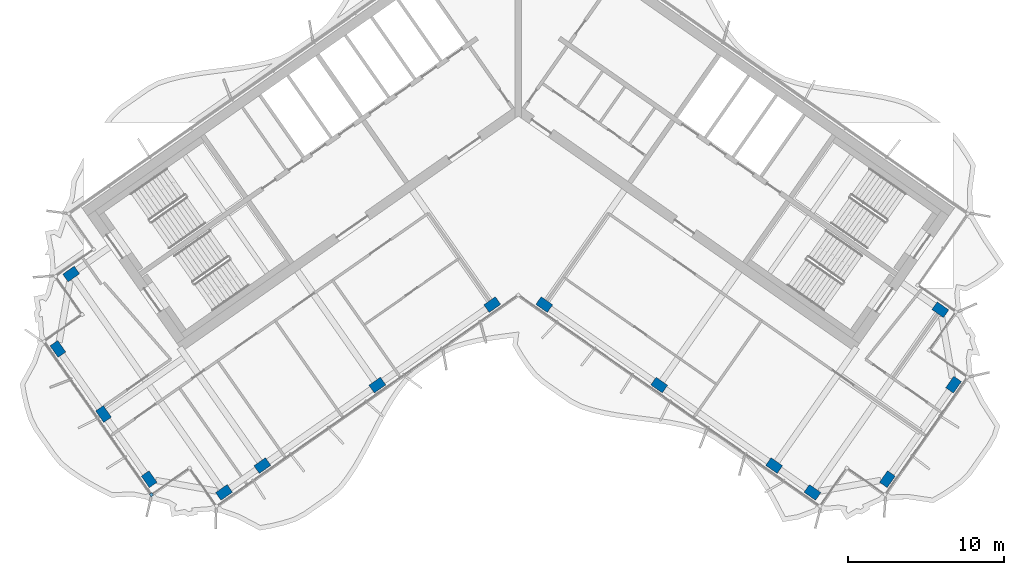
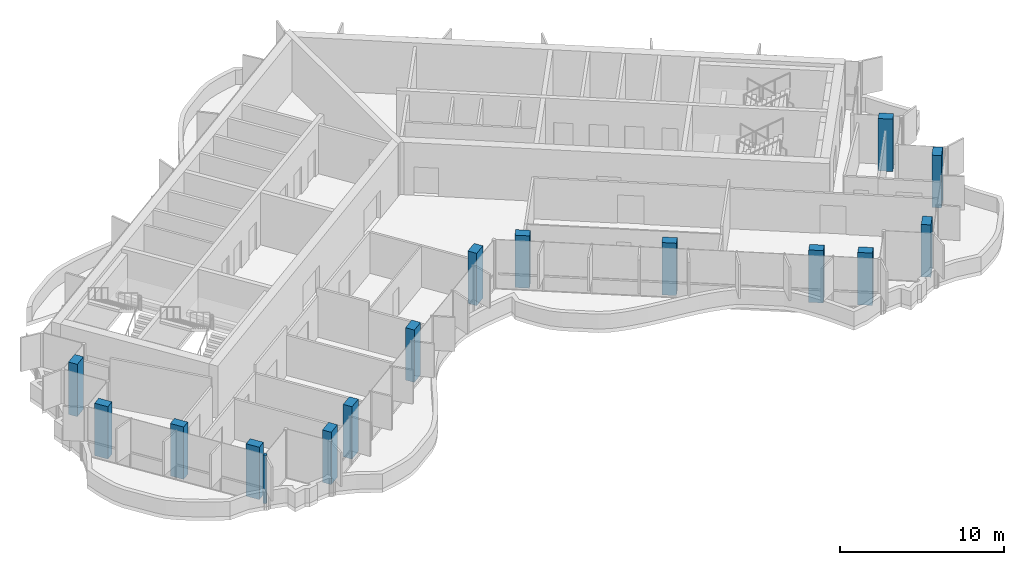
# One storey, part 1 of 18: 15 columns, 1 member, 1 element without a shape of its own.
"""IFC4 building model written with IfcOpenShell, lengths in metres."""

from ifc_helpers import new_model, si_unit, direction, frame, origin, origin_2d, place, context, subcontext, project, spatial, rectangle, extrude, material, material_profile, profile_set, type_object, element, aggregate, save


model = new_model("IFC4")

# Units and contexts
model_context = context("Model", 3, precision=1e-05, world=origin(), true_north=direction((0.0, 1.0)))
body_context = subcontext(model_context, "Body", "Model", "MODEL_VIEW")
ifc_project = project(units=[si_unit("LENGTHUNIT", "METRE"), si_unit("AREAUNIT", "SQUARE_METRE"), si_unit("VOLUMEUNIT", "CUBIC_METRE"), si_unit("PLANEANGLEUNIT", "RADIAN"), si_unit("MASSUNIT", "GRAM", prefix="KILO")], contexts=[model_context])

# Site, building, storey
site_placement = place(None, origin())
site = spatial("IfcSite", under=ifc_project, at=site_placement, CompositionType="ELEMENT")
building_placement = place(site_placement, origin())
building = spatial("IfcBuilding", under=site, at=building_placement, Name="Tel Ilan Convention Tower", CompositionType="ELEMENT")
storey_placement = place(building_placement, frame((0.0, 0.0, 303.39990234375)))
storey = spatial("IfcBuildingStorey", under=building, at=storey_placement, Name="L72", CompositionType="ELEMENT", Elevation=303.39990234375)

# Columns
ifc_material_1 = material(Name="Concrete C40/50", Category="concrete")
ifc_material_profile_1 = material_profile(ifc_material_1, rectangle(XDim=0.89990234375, YDim=0.60009765625, at=origin_2d()), Name="RC 600x900")
ifc_profile_set_1 = profile_set([ifc_material_profile_1], Name="Concrete C40/50")
column_type = type_object("IfcColumnType", Name="Column RC 600x900 C40/50", PredefinedType="COLUMN", material=ifc_profile_set_1)
for number, where, z_axis, x_axis, name in (
    (1, (-1.665283203125, -13.312744140625, 0.0), (0.0, 0.0, 1.0), (-0.819152044289, -0.573576436351, 0.0), "L72 column W-F1"),
    (2, (-9.03759765625, -18.474853515625, 0.0), (0.0, 0.0, 1.0), (-0.819152044289, -0.573576436351, 0.0), "L72 column W-F2"),
    (3, (-16.409912109375, -23.63720703125, 0.0), (0.0, 0.0, 1.0), (-0.819152044289, -0.573576436351, 0.0), "L72 column W-F3"),
    (4, (-18.867431640625, -25.35791015625, 0.0), (0.0, 0.0, 1.0), (-0.819152044289, -0.573576436351, 0.0), "L72 column W-FC"),
    (5, (-28.675537109375, -11.350341796875, 0.0), (0.0, 0.0, 1.0), (-0.819152044289, -0.573576436351, 0.0), "L72 column W-BC"),
    (6, (-23.67236328125, -24.510498046875, 0.0), (0.0, 0.0, 1.0), (-0.573576436351, 0.819152044289, 0.0), "L72 column W-E1"),
    (7, (-26.59765625, -20.3330078125, 0.0), (0.0, 0.0, 1.0), (-0.573576436351, 0.819152044289, 0.0), "L72 column W-E2"),
    (8, (-29.52294921875, -16.1552734375, 0.0), (0.0, 0.0, 1.0), (-0.573576436351, 0.819152044289, 0.0), "L72 column W-E3"),
    (9, (1.665283203125, -13.312744140625, 0.0), (0.0, 0.0, 1.0), (0.819152044289, -0.573576436351, 0.0), "L72 column E-F1"),
    (10, (9.03759765625, -18.474853515625, 0.0), (0.0, 0.0, 1.0), (0.819152044289, -0.573576436351, 0.0), "L72 column E-F2"),
    (11, (16.409912109375, -23.63720703125, 0.0), (0.0, 0.0, 1.0), (0.819152044289, -0.573576436351, 0.0), "L72 column E-F3"),
    (12, (18.867431640625, -25.35791015625, 0.0), (0.0, 0.0, 1.0), (0.819152044289, -0.573576436351, 0.0), "L72 column E-FC"),
    (13, (27.069580078125, -13.64404296875, 0.0), (0.0, 0.0, 1.0), (0.819152044289, -0.573576436351, 0.0), "L72 column E-BC"),
    (14, (23.67236328125, -24.510498046875, 0.0), (0.0, 0.0, 1.0), (0.573576436351, 0.819152044289, 0.0), "L72 column E-E1"),
    (15, (27.9169921875, -18.448974609375, 0.0), (0.0, 0.0, 1.0), (0.573576436351, 0.819152044289, 0.0), "L72 column E-E2"),
):
    element("IfcColumn", number, at=place(storey_placement, frame(where, z_axis=z_axis, x_axis=x_axis)), inside=storey, type_object=column_type, Name=name, PredefinedType="COLUMN", context=body_context, shape_type="SweptSolid", body=[
        extrude(rectangle(XDim=0.89990234375, YDim=0.60009765625, at=origin_2d()), origin(), (0.0, 0.0, 1.0), 3.900146484375),
    ])

# Curtain wall, member
ifc_material_2 = material(Name="Aluminium, bronze anodised", Category="aluminium")
curtain_wall_type = type_object("IfcCurtainWallType", Name="CW5 STICK CURTAIN WALL, UPPER OFFICE LOW-IRON TINTED GLASS", PredefinedType="NOTDEFINED", material=ifc_material_2)
curtain_wall_placement = place(storey_placement, origin())
curtain_wall = element("IfcCurtainWall", 16, at=curtain_wall_placement, inside=storey, type_object=curtain_wall_type, Name="Curtain wall CW5-54.02", PredefinedType="NOTDEFINED")
ifc_material_3 = material(Name="Aluminium, bronze anodised", Category="aluminium")
ifc_material_profile_2 = material_profile(ifc_material_3, rectangle(XDim=0.199951171875, YDim=0.199951171875, at=origin_2d()), Name="CW CORNER MULLION 200x200")
ifc_profile_set_2 = profile_set([ifc_material_profile_2], Name="Aluminium, bronze anodised")
member_type = type_object("IfcMemberType", Name="CW CORNER MULLION 200x200", PredefinedType="MULLION", material=ifc_profile_set_2)
member_placement = place(storey_placement, frame((-23.52490234375, -25.505859375, 0.0), z_axis=(0.0, 0.0, 1.0), x_axis=(0.573576436351, -0.819152044289, 0.0)))
member = element("IfcMember", 17, at=member_placement, type_object=member_type, Name="Corner mullion", PredefinedType="MULLION", context=body_context, shape_type="SweptSolid", body=[
    extrude(rectangle(XDim=0.199951171875, YDim=0.199951171875, at=origin_2d()), origin(), (0.0, 0.0, 1.0), 3.6201171875),
])
aggregate(curtain_wall, [member])

save(model, "model.ifc")
